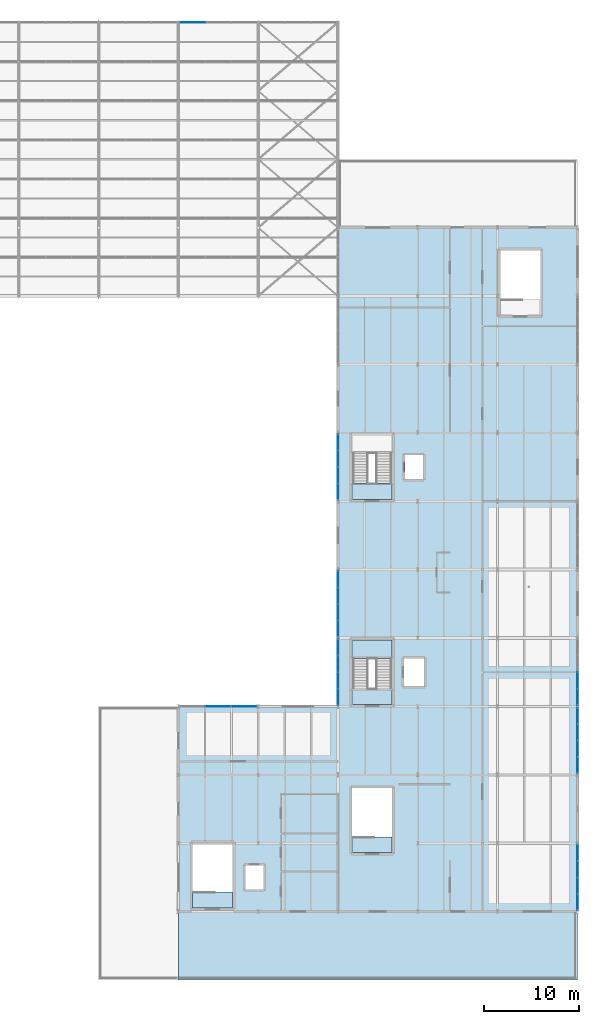
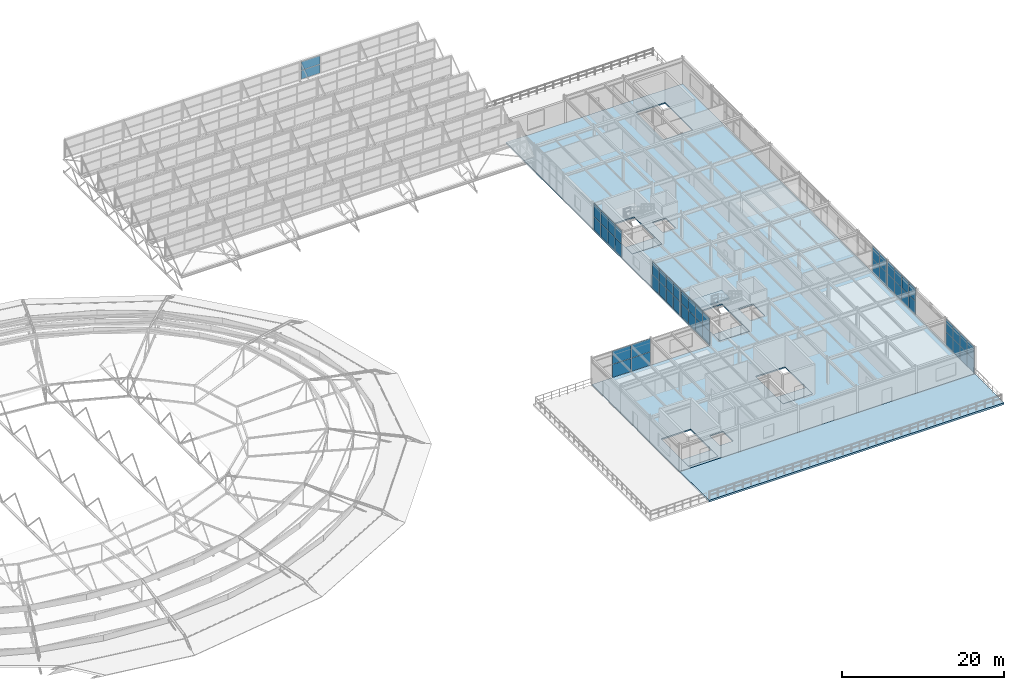
# One storey, part 109 of 134: 50 plates, 7 slabs, 9 elements without a shape of their own.
"""IFC4 building model written with IfcOpenShell, lengths in metres."""

from ifc_helpers import new_model, si_unit, derived_unit, direction, frame, origin, origin_2d, place, context, subcontext, project, spatial, polyline, rectangle, outline, extrude, material, layer, layer_set, type_object, element, aggregate, save


model = new_model("IFC4")

# Units and contexts
model_context = context("Model", 3, precision=1e-05, world=origin(), true_north=direction((0.0, 1.0)))
body_context = subcontext(model_context, "Body", "Model", "MODEL_VIEW")
ifc_project = project(units=[si_unit("LENGTHUNIT", "METRE"), si_unit("AREAUNIT", "SQUARE_METRE"), si_unit("VOLUMEUNIT", "CUBIC_METRE"), si_unit("PLANEANGLEUNIT", "RADIAN"), si_unit("MASSUNIT", "GRAM", prefix="KILO"), derived_unit("THERMALTRANSMITTANCEUNIT", [(si_unit("MASSUNIT", "GRAM", prefix="KILO"), 1), (si_unit("TIMEUNIT", "SECOND"), -3), (si_unit("THERMODYNAMICTEMPERATUREUNIT", "KELVIN"), -1)])], contexts=[model_context])

# Site, building, storey
site_placement = place(None, origin())
site = spatial("IfcSite", under=ifc_project, at=site_placement, CompositionType="ELEMENT")
building_placement = place(site_placement, origin())
building = spatial("IfcBuilding", under=site, at=building_placement, Name="Kharveza Railside Sports Centre", CompositionType="ELEMENT")
storey_placement = place(building_placement, frame((0.0, 0.0, 12.89990234375)))
storey = spatial("IfcBuildingStorey", under=building, at=storey_placement, Name="L03", CompositionType="ELEMENT", Elevation=12.89990234375)

# Curtain wall, plates
ifc_material_1 = material(Name="Low-E solar-control laminated glass", Category="glass")
curtain_wall_type_1 = type_object("IfcCurtainWallType", Name="CW-NL02", PredefinedType="NOTDEFINED", material=ifc_material_1)
curtain_wall_1_placement = place(storey_placement, origin())
curtain_wall_1 = element("IfcCurtainWall", 1, at=curtain_wall_1_placement, inside=storey, type_object=curtain_wall_type_1, Name="CW-V2NL-7-5", PredefinedType="NOTDEFINED")
ifc_layer_1 = layer(ifc_material_1, 0.033935546875, Name="Low-E solar-control laminated glass")
ifc_layer_set_1 = layer_set([ifc_layer_1], Name="Low-E solar-control laminated glass")
plate_type_1 = type_object("IfcPlateType", Name="PL-CP06", PredefinedType="CURTAIN_PANEL", material=ifc_layer_set_1)
plate_1_placement = place(storey_placement, frame((127.47998046875, 108.0, 2.219970703125), z_axis=(0.0, 0.0, 1.0), x_axis=(1.0, 0.0, 0.0)))
plate_1 = element("IfcPlate", 2, at=plate_1_placement, type_object=plate_type_1, Name="CW-V2NL-7-5-PN11", PredefinedType="CURTAIN_PANEL", context=body_context, shape_type="SweptSolid", body=[
    extrude(rectangle(XDim=2.679931640625, YDim=0.033935546875, at=origin_2d()), origin(), (0.0, 0.0, 1.0), 1.31005859375),
])
plate_2_placement = place(storey_placement, frame((127.47998046875, 108.0, 3.570068359375), z_axis=(0.0, 0.0, 1.0), x_axis=(1.0, 0.0, 0.0)))
plate_2 = element("IfcPlate", 3, at=plate_2_placement, type_object=plate_type_1, Name="CW-V2NL-7-5-PN12", PredefinedType="CURTAIN_PANEL", context=body_context, shape_type="SweptSolid", body=[
    extrude(rectangle(XDim=2.679931640625, YDim=0.033935546875, at=origin_2d()), origin(), (0.0, 0.0, 1.0), 1.31005859375),
])
aggregate(curtain_wall_1, [plate_1, plate_2])

curtain_wall_type_2 = type_object("IfcCurtainWallType", Name="CW-WG01", PredefinedType="NOTDEFINED", material=ifc_material_1)
curtain_wall_2_placement = place(storey_placement, origin())
curtain_wall_2 = element("IfcCurtainWall", 4, at=curtain_wall_2_placement, inside=storey, type_object=curtain_wall_type_2, Name="CW-WG-L03-CW-WG01-X1302-Y360", PredefinedType="NOTDEFINED")
ifc_layer_2 = layer(ifc_material_1, 0.035888671875, Name="Low-E solar-control laminated glass")
ifc_layer_set_2 = layer_set([ifc_layer_2], Name="Low-E solar-control laminated glass")
plate_type_2 = type_object("IfcPlateType", Name="PL-CP08", PredefinedType="CURTAIN_PANEL", material=ifc_layer_set_2)
plate_3_placement = place(storey_placement, frame((132.919921875, 36.0, 2.03759765625), z_axis=(0.0, 0.0, 1.0), x_axis=(-1.0, 0.0, 0.0)))
plate_3 = element("IfcPlate", 5, at=plate_3_placement, type_object=plate_type_2, Name="CW-WG-L03-CW-WG01-X1302-Y360-PN12", PredefinedType="CURTAIN_PANEL", context=body_context, shape_type="SweptSolid", body=[
    extrude(rectangle(XDim=2.679931640625, YDim=0.035888671875, at=origin_2d()), origin(), (0.0, 0.0, 1.0), 1.9775390625),
])
plate_4_placement = place(storey_placement, frame((130.199951171875, 36.0, 2.03759765625), z_axis=(0.0, 0.0, 1.0), x_axis=(-1.0, 0.0, 0.0)))
plate_4 = element("IfcPlate", 6, at=plate_4_placement, type_object=plate_type_2, Name="CW-WG-L03-CW-WG01-X1302-Y360-PN22", PredefinedType="CURTAIN_PANEL", context=body_context, shape_type="SweptSolid", body=[
    extrude(rectangle(XDim=2.679931640625, YDim=0.035888671875, at=origin_2d()), origin(), (0.0, 0.0, 1.0), 1.9775390625),
])
ifc_material_2 = material(Name="Anodised aluminium 6063-T6", Category="aluminium")
ifc_layer_3 = layer(ifc_material_2, 0.044921875, Name="Anodised aluminium 6063-T6")
ifc_layer_set_3 = layer_set([ifc_layer_3], Name="Anodised aluminium 6063-T6")
plate_type_3 = type_object("IfcPlateType", Name="PL-CP09", PredefinedType="CURTAIN_PANEL", material=ifc_layer_set_3)
plate_5_placement = place(storey_placement, frame((132.919921875, 36.0, 0.02001953125), z_axis=(0.0, 0.0, 1.0), x_axis=(-1.0, 0.0, 0.0)))
plate_5 = element("IfcPlate", 7, at=plate_5_placement, type_object=plate_type_3, Name="CW-WG-L03-CW-WG01-X1302-Y360-PN11", PredefinedType="CURTAIN_PANEL", context=body_context, shape_type="SweptSolid", body=[
    extrude(rectangle(XDim=2.679931640625, YDim=0.044921875, at=origin_2d()), origin(), (0.0, 0.0, 1.0), 1.9775390625),
])
plate_6_placement = place(storey_placement, frame((130.199951171875, 36.0, 0.02001953125), z_axis=(0.0, 0.0, 1.0), x_axis=(-1.0, 0.0, 0.0)))
plate_6 = element("IfcPlate", 8, at=plate_6_placement, type_object=plate_type_3, Name="CW-WG-L03-CW-WG01-X1302-Y360-PN21", PredefinedType="CURTAIN_PANEL", context=body_context, shape_type="SweptSolid", body=[
    extrude(rectangle(XDim=2.679931640625, YDim=0.044921875, at=origin_2d()), origin(), (0.0, 0.0, 1.0), 1.9775390625),
])
aggregate(curtain_wall_2, [plate_5, plate_3, plate_6, plate_4])

curtain_wall_type_3 = type_object("IfcCurtainWallType", Name="CW-WG02", PredefinedType="NOTDEFINED", material=ifc_material_1)
curtain_wall_3_placement = place(storey_placement, origin())
curtain_wall_3 = element("IfcCurtainWall", 9, at=curtain_wall_3_placement, inside=storey, type_object=curtain_wall_type_3, Name="CW-WG-L03-CW-WG02-X1680-Y180", PredefinedType="NOTDEFINED")
ifc_layer_4 = layer(ifc_material_1, 0.035888671875, Name="Low-E solar-control laminated glass")
ifc_layer_set_4 = layer_set([ifc_layer_4], Name="Low-E solar-control laminated glass")
plate_type_4 = type_object("IfcPlateType", Name="PL-CP10", PredefinedType="CURTAIN_PANEL", material=ifc_layer_set_4)
plate_7_placement = place(storey_placement, frame((168.0, 15.389892578125, 2.03759765625), z_axis=(0.0, 0.0, 1.0), x_axis=(0.0, 1.0, 0.0)))
plate_7 = element("IfcPlate", 10, at=plate_7_placement, type_object=plate_type_4, Name="CW-WG-L03-CW-WG02-X1680-Y180-PN12", PredefinedType="CURTAIN_PANEL", context=body_context, shape_type="SweptSolid", body=[
    extrude(rectangle(XDim=1.699951171875, YDim=0.035888671875, at=origin_2d()), origin(), (0.0, 0.0, 1.0), 1.9775390625),
])
plate_8_placement = place(storey_placement, frame((168.0, 17.1298828125, 2.03759765625), z_axis=(0.0, 0.0, 1.0), x_axis=(0.0, 1.0, 0.0)))
plate_8 = element("IfcPlate", 11, at=plate_8_placement, type_object=plate_type_4, Name="CW-WG-L03-CW-WG02-X1680-Y180-PN22", PredefinedType="CURTAIN_PANEL", context=body_context, shape_type="SweptSolid", body=[
    extrude(rectangle(XDim=1.699951171875, YDim=0.035888671875, at=origin_2d()), origin(), (0.0, 0.0, 1.0), 1.9775390625),
])
plate_9_placement = place(storey_placement, frame((168.0, 18.8701171875, 2.03759765625), z_axis=(0.0, 0.0, 1.0), x_axis=(0.0, 1.0, 0.0)))
plate_9 = element("IfcPlate", 12, at=plate_9_placement, type_object=plate_type_4, Name="CW-WG-L03-CW-WG02-X1680-Y180-PN32", PredefinedType="CURTAIN_PANEL", context=body_context, shape_type="SweptSolid", body=[
    extrude(rectangle(XDim=1.699951171875, YDim=0.035888671875, at=origin_2d()), origin(), (0.0, 0.0, 1.0), 1.9775390625),
])
plate_10_placement = place(storey_placement, frame((168.0, 20.610107421875, 2.03759765625), z_axis=(0.0, 0.0, 1.0), x_axis=(0.0, 1.0, 0.0)))
plate_10 = element("IfcPlate", 13, at=plate_10_placement, type_object=plate_type_4, Name="CW-WG-L03-CW-WG02-X1680-Y180-PN42", PredefinedType="CURTAIN_PANEL", context=body_context, shape_type="SweptSolid", body=[
    extrude(rectangle(XDim=1.699951171875, YDim=0.035888671875, at=origin_2d()), origin(), (0.0, 0.0, 1.0), 1.9775390625),
])

curtain_wall_4_placement = place(storey_placement, origin())
curtain_wall_4 = element("IfcCurtainWall", 14, at=curtain_wall_4_placement, inside=storey, type_object=curtain_wall_type_3, Name="CW-WG-L03-CW-WG02-X1680-Y324", PredefinedType="NOTDEFINED")
plate_11_placement = place(storey_placement, frame((168.0, 29.7900390625, 2.03759765625), z_axis=(0.0, 0.0, 1.0), x_axis=(0.0, 1.0, 0.0)))
plate_11 = element("IfcPlate", 15, at=plate_11_placement, type_object=plate_type_4, Name="CW-WG-L03-CW-WG02-X1680-Y324-PN12", PredefinedType="CURTAIN_PANEL", context=body_context, shape_type="SweptSolid", body=[
    extrude(rectangle(XDim=1.699951171875, YDim=0.035888671875, at=origin_2d()), origin(), (0.0, 0.0, 1.0), 1.9775390625),
])
plate_12_placement = place(storey_placement, frame((168.0, 31.530029296875, 2.03759765625), z_axis=(0.0, 0.0, 1.0), x_axis=(0.0, 1.0, 0.0)))
plate_12 = element("IfcPlate", 16, at=plate_12_placement, type_object=plate_type_4, Name="CW-WG-L03-CW-WG02-X1680-Y324-PN22", PredefinedType="CURTAIN_PANEL", context=body_context, shape_type="SweptSolid", body=[
    extrude(rectangle(XDim=1.699951171875, YDim=0.035888671875, at=origin_2d()), origin(), (0.0, 0.0, 1.0), 1.9775390625),
])
plate_13_placement = place(storey_placement, frame((168.0, 33.27001953125, 2.03759765625), z_axis=(0.0, 0.0, 1.0), x_axis=(0.0, 1.0, 0.0)))
plate_13 = element("IfcPlate", 17, at=plate_13_placement, type_object=plate_type_4, Name="CW-WG-L03-CW-WG02-X1680-Y324-PN32", PredefinedType="CURTAIN_PANEL", context=body_context, shape_type="SweptSolid", body=[
    extrude(rectangle(XDim=1.699951171875, YDim=0.035888671875, at=origin_2d()), origin(), (0.0, 0.0, 1.0), 1.9775390625),
])
plate_14_placement = place(storey_placement, frame((168.0, 35.010009765625, 2.03759765625), z_axis=(0.0, 0.0, 1.0), x_axis=(0.0, 1.0, 0.0)))
plate_14 = element("IfcPlate", 18, at=plate_14_placement, type_object=plate_type_4, Name="CW-WG-L03-CW-WG02-X1680-Y324-PN42", PredefinedType="CURTAIN_PANEL", context=body_context, shape_type="SweptSolid", body=[
    extrude(rectangle(XDim=1.699951171875, YDim=0.035888671875, at=origin_2d()), origin(), (0.0, 0.0, 1.0), 1.9775390625),
])

curtain_wall_5_placement = place(storey_placement, origin())
curtain_wall_5 = element("IfcCurtainWall", 19, at=curtain_wall_5_placement, inside=storey, type_object=curtain_wall_type_3, Name="CW-WG-L03-CW-WG02-X1680-Y396", PredefinedType="NOTDEFINED")
plate_15_placement = place(storey_placement, frame((168.0, 36.989990234375, 2.03759765625), z_axis=(0.0, 0.0, 1.0), x_axis=(0.0, 1.0, 0.0)))
plate_15 = element("IfcPlate", 20, at=plate_15_placement, type_object=plate_type_4, Name="CW-WG-L03-CW-WG02-X1680-Y396-PN12", PredefinedType="CURTAIN_PANEL", context=body_context, shape_type="SweptSolid", body=[
    extrude(rectangle(XDim=1.699951171875, YDim=0.035888671875, at=origin_2d()), origin(), (0.0, 0.0, 1.0), 1.9775390625),
])
plate_16_placement = place(storey_placement, frame((168.0, 38.72998046875, 2.03759765625), z_axis=(0.0, 0.0, 1.0), x_axis=(0.0, 1.0, 0.0)))
plate_16 = element("IfcPlate", 21, at=plate_16_placement, type_object=plate_type_4, Name="CW-WG-L03-CW-WG02-X1680-Y396-PN22", PredefinedType="CURTAIN_PANEL", context=body_context, shape_type="SweptSolid", body=[
    extrude(rectangle(XDim=1.699951171875, YDim=0.035888671875, at=origin_2d()), origin(), (0.0, 0.0, 1.0), 1.9775390625),
])

curtain_wall_6_placement = place(storey_placement, origin())
curtain_wall_6 = element("IfcCurtainWall", 22, at=curtain_wall_6_placement, inside=storey, type_object=curtain_wall_type_3, Name="CW-WG-L03-CW-WG02-X1428-Y612", PredefinedType="NOTDEFINED")
plate_17_placement = place(storey_placement, frame((142.800048828125, 63.81005859375, 2.03759765625), z_axis=(0.0, 0.0, 1.0), x_axis=(0.0, -1.0, 0.0)))
plate_17 = element("IfcPlate", 23, at=plate_17_placement, type_object=plate_type_4, Name="CW-WG-L03-CW-WG02-X1428-Y612-PN12", PredefinedType="CURTAIN_PANEL", context=body_context, shape_type="SweptSolid", body=[
    extrude(rectangle(XDim=1.699951171875, YDim=0.035888671875, at=origin_2d()), origin(), (0.0, 0.0, 1.0), 1.9775390625),
])
plate_18_placement = place(storey_placement, frame((142.800048828125, 62.070068359375, 2.03759765625), z_axis=(0.0, 0.0, 1.0), x_axis=(0.0, -1.0, 0.0)))
plate_18 = element("IfcPlate", 24, at=plate_18_placement, type_object=plate_type_4, Name="CW-WG-L03-CW-WG02-X1428-Y612-PN22", PredefinedType="CURTAIN_PANEL", context=body_context, shape_type="SweptSolid", body=[
    extrude(rectangle(XDim=1.699951171875, YDim=0.035888671875, at=origin_2d()), origin(), (0.0, 0.0, 1.0), 1.9775390625),
])
plate_19_placement = place(storey_placement, frame((142.800048828125, 60.330078125, 2.03759765625), z_axis=(0.0, 0.0, 1.0), x_axis=(0.0, -1.0, 0.0)))
plate_19 = element("IfcPlate", 25, at=plate_19_placement, type_object=plate_type_4, Name="CW-WG-L03-CW-WG02-X1428-Y612-PN32", PredefinedType="CURTAIN_PANEL", context=body_context, shape_type="SweptSolid", body=[
    extrude(rectangle(XDim=1.699951171875, YDim=0.035888671875, at=origin_2d()), origin(), (0.0, 0.0, 1.0), 1.9775390625),
])
plate_20_placement = place(storey_placement, frame((142.800048828125, 58.590087890625, 2.03759765625), z_axis=(0.0, 0.0, 1.0), x_axis=(0.0, -1.0, 0.0)))
plate_20 = element("IfcPlate", 26, at=plate_20_placement, type_object=plate_type_4, Name="CW-WG-L03-CW-WG02-X1428-Y612-PN42", PredefinedType="CURTAIN_PANEL", context=body_context, shape_type="SweptSolid", body=[
    extrude(rectangle(XDim=1.699951171875, YDim=0.035888671875, at=origin_2d()), origin(), (0.0, 0.0, 1.0), 1.9775390625),
])

curtain_wall_7_placement = place(storey_placement, origin())
curtain_wall_7 = element("IfcCurtainWall", 27, at=curtain_wall_7_placement, inside=storey, type_object=curtain_wall_type_3, Name="CW-WG-L03-CW-WG02-X1428-Y468", PredefinedType="NOTDEFINED")
plate_21_placement = place(storey_placement, frame((142.800048828125, 49.409912109375, 2.03759765625), z_axis=(0.0, 0.0, 1.0), x_axis=(0.0, -1.0, 0.0)))
plate_21 = element("IfcPlate", 28, at=plate_21_placement, type_object=plate_type_4, Name="CW-WG-L03-CW-WG02-X1428-Y468-PN12", PredefinedType="CURTAIN_PANEL", context=body_context, shape_type="SweptSolid", body=[
    extrude(rectangle(XDim=1.699951171875, YDim=0.035888671875, at=origin_2d()), origin(), (0.0, 0.0, 1.0), 1.9775390625),
])
plate_22_placement = place(storey_placement, frame((142.800048828125, 47.669921875, 2.03759765625), z_axis=(0.0, 0.0, 1.0), x_axis=(0.0, -1.0, 0.0)))
plate_22 = element("IfcPlate", 29, at=plate_22_placement, type_object=plate_type_4, Name="CW-WG-L03-CW-WG02-X1428-Y468-PN22", PredefinedType="CURTAIN_PANEL", context=body_context, shape_type="SweptSolid", body=[
    extrude(rectangle(XDim=1.699951171875, YDim=0.035888671875, at=origin_2d()), origin(), (0.0, 0.0, 1.0), 1.9775390625),
])
plate_23_placement = place(storey_placement, frame((142.800048828125, 45.929931640625, 2.03759765625), z_axis=(0.0, 0.0, 1.0), x_axis=(0.0, -1.0, 0.0)))
plate_23 = element("IfcPlate", 30, at=plate_23_placement, type_object=plate_type_4, Name="CW-WG-L03-CW-WG02-X1428-Y468-PN32", PredefinedType="CURTAIN_PANEL", context=body_context, shape_type="SweptSolid", body=[
    extrude(rectangle(XDim=1.699951171875, YDim=0.035888671875, at=origin_2d()), origin(), (0.0, 0.0, 1.0), 1.9775390625),
])
plate_24_placement = place(storey_placement, frame((142.800048828125, 44.18994140625, 2.03759765625), z_axis=(0.0, 0.0, 1.0), x_axis=(0.0, -1.0, 0.0)))
plate_24 = element("IfcPlate", 31, at=plate_24_placement, type_object=plate_type_4, Name="CW-WG-L03-CW-WG02-X1428-Y468-PN42", PredefinedType="CURTAIN_PANEL", context=body_context, shape_type="SweptSolid", body=[
    extrude(rectangle(XDim=1.699951171875, YDim=0.035888671875, at=origin_2d()), origin(), (0.0, 0.0, 1.0), 1.9775390625),
])

curtain_wall_8_placement = place(storey_placement, origin())
curtain_wall_8 = element("IfcCurtainWall", 32, at=curtain_wall_8_placement, inside=storey, type_object=curtain_wall_type_3, Name="CW-WG-L03-CW-WG02-X1428-Y396", PredefinedType="NOTDEFINED")
plate_25_placement = place(storey_placement, frame((142.800048828125, 42.2099609375, 2.03759765625), z_axis=(0.0, 0.0, 1.0), x_axis=(0.0, -1.0, 0.0)))
plate_25 = element("IfcPlate", 33, at=plate_25_placement, type_object=plate_type_4, Name="CW-WG-L03-CW-WG02-X1428-Y396-PN12", PredefinedType="CURTAIN_PANEL", context=body_context, shape_type="SweptSolid", body=[
    extrude(rectangle(XDim=1.699951171875, YDim=0.035888671875, at=origin_2d()), origin(), (0.0, 0.0, 1.0), 1.9775390625),
])
plate_26_placement = place(storey_placement, frame((142.800048828125, 40.469970703125, 2.03759765625), z_axis=(0.0, 0.0, 1.0), x_axis=(0.0, -1.0, 0.0)))
plate_26 = element("IfcPlate", 34, at=plate_26_placement, type_object=plate_type_4, Name="CW-WG-L03-CW-WG02-X1428-Y396-PN22", PredefinedType="CURTAIN_PANEL", context=body_context, shape_type="SweptSolid", body=[
    extrude(rectangle(XDim=1.699951171875, YDim=0.035888671875, at=origin_2d()), origin(), (0.0, 0.0, 1.0), 1.9775390625),
])
plate_27_placement = place(storey_placement, frame((142.800048828125, 38.72998046875, 2.03759765625), z_axis=(0.0, 0.0, 1.0), x_axis=(0.0, -1.0, 0.0)))
plate_27 = element("IfcPlate", 35, at=plate_27_placement, type_object=plate_type_4, Name="CW-WG-L03-CW-WG02-X1428-Y396-PN32", PredefinedType="CURTAIN_PANEL", context=body_context, shape_type="SweptSolid", body=[
    extrude(rectangle(XDim=1.699951171875, YDim=0.035888671875, at=origin_2d()), origin(), (0.0, 0.0, 1.0), 1.9775390625),
])
plate_28_placement = place(storey_placement, frame((142.800048828125, 36.989990234375, 2.03759765625), z_axis=(0.0, 0.0, 1.0), x_axis=(0.0, -1.0, 0.0)))
plate_28 = element("IfcPlate", 36, at=plate_28_placement, type_object=plate_type_4, Name="CW-WG-L03-CW-WG02-X1428-Y396-PN42", PredefinedType="CURTAIN_PANEL", context=body_context, shape_type="SweptSolid", body=[
    extrude(rectangle(XDim=1.699951171875, YDim=0.035888671875, at=origin_2d()), origin(), (0.0, 0.0, 1.0), 1.9775390625),
])

# Plate
ifc_layer_5 = layer(ifc_material_2, 0.044921875, Name="Anodised aluminium 6063-T6")
ifc_layer_set_5 = layer_set([ifc_layer_5], Name="Anodised aluminium 6063-T6")
plate_type_5 = type_object("IfcPlateType", Name="PL-CP11", PredefinedType="CURTAIN_PANEL", material=ifc_layer_set_5)
plate_29_placement = place(storey_placement, frame((168.0, 15.389892578125, 0.02001953125), z_axis=(0.0, 0.0, 1.0), x_axis=(0.0, 1.0, 0.0)))
plate_29 = element("IfcPlate", 37, at=plate_29_placement, type_object=plate_type_5, Name="CW-WG-L03-CW-WG02-X1680-Y180-PN11", PredefinedType="CURTAIN_PANEL", context=body_context, shape_type="SweptSolid", body=[
    extrude(rectangle(XDim=1.699951171875, YDim=0.044921875, at=origin_2d()), origin(), (0.0, 0.0, 1.0), 1.9775390625),
])

plate_30_placement = place(storey_placement, frame((168.0, 17.1298828125, 0.02001953125), z_axis=(0.0, 0.0, 1.0), x_axis=(0.0, 1.0, 0.0)))
plate_30 = element("IfcPlate", 38, at=plate_30_placement, type_object=plate_type_5, Name="CW-WG-L03-CW-WG02-X1680-Y180-PN21", PredefinedType="CURTAIN_PANEL", context=body_context, shape_type="SweptSolid", body=[
    extrude(rectangle(XDim=1.699951171875, YDim=0.044921875, at=origin_2d()), origin(), (0.0, 0.0, 1.0), 1.9775390625),
])

plate_31_placement = place(storey_placement, frame((168.0, 18.8701171875, 0.02001953125), z_axis=(0.0, 0.0, 1.0), x_axis=(0.0, 1.0, 0.0)))
plate_31 = element("IfcPlate", 39, at=plate_31_placement, type_object=plate_type_5, Name="CW-WG-L03-CW-WG02-X1680-Y180-PN31", PredefinedType="CURTAIN_PANEL", context=body_context, shape_type="SweptSolid", body=[
    extrude(rectangle(XDim=1.699951171875, YDim=0.044921875, at=origin_2d()), origin(), (0.0, 0.0, 1.0), 1.9775390625),
])

plate_32_placement = place(storey_placement, frame((168.0, 20.610107421875, 0.02001953125), z_axis=(0.0, 0.0, 1.0), x_axis=(0.0, 1.0, 0.0)))
plate_32 = element("IfcPlate", 40, at=plate_32_placement, type_object=plate_type_5, Name="CW-WG-L03-CW-WG02-X1680-Y180-PN41", PredefinedType="CURTAIN_PANEL", context=body_context, shape_type="SweptSolid", body=[
    extrude(rectangle(XDim=1.699951171875, YDim=0.044921875, at=origin_2d()), origin(), (0.0, 0.0, 1.0), 1.9775390625),
])

aggregate(curtain_wall_3, [plate_29, plate_7, plate_30, plate_8, plate_31, plate_9, plate_32, plate_10])

plate_33_placement = place(storey_placement, frame((168.0, 29.7900390625, 0.02001953125), z_axis=(0.0, 0.0, 1.0), x_axis=(0.0, 1.0, 0.0)))
plate_33 = element("IfcPlate", 41, at=plate_33_placement, type_object=plate_type_5, Name="CW-WG-L03-CW-WG02-X1680-Y324-PN11", PredefinedType="CURTAIN_PANEL", context=body_context, shape_type="SweptSolid", body=[
    extrude(rectangle(XDim=1.699951171875, YDim=0.044921875, at=origin_2d()), origin(), (0.0, 0.0, 1.0), 1.9775390625),
])

plate_34_placement = place(storey_placement, frame((168.0, 31.530029296875, 0.02001953125), z_axis=(0.0, 0.0, 1.0), x_axis=(0.0, 1.0, 0.0)))
plate_34 = element("IfcPlate", 42, at=plate_34_placement, type_object=plate_type_5, Name="CW-WG-L03-CW-WG02-X1680-Y324-PN21", PredefinedType="CURTAIN_PANEL", context=body_context, shape_type="SweptSolid", body=[
    extrude(rectangle(XDim=1.699951171875, YDim=0.044921875, at=origin_2d()), origin(), (0.0, 0.0, 1.0), 1.9775390625),
])

plate_35_placement = place(storey_placement, frame((168.0, 33.27001953125, 0.02001953125), z_axis=(0.0, 0.0, 1.0), x_axis=(0.0, 1.0, 0.0)))
plate_35 = element("IfcPlate", 43, at=plate_35_placement, type_object=plate_type_5, Name="CW-WG-L03-CW-WG02-X1680-Y324-PN31", PredefinedType="CURTAIN_PANEL", context=body_context, shape_type="SweptSolid", body=[
    extrude(rectangle(XDim=1.699951171875, YDim=0.044921875, at=origin_2d()), origin(), (0.0, 0.0, 1.0), 1.9775390625),
])

plate_36_placement = place(storey_placement, frame((168.0, 35.010009765625, 0.02001953125), z_axis=(0.0, 0.0, 1.0), x_axis=(0.0, 1.0, 0.0)))
plate_36 = element("IfcPlate", 44, at=plate_36_placement, type_object=plate_type_5, Name="CW-WG-L03-CW-WG02-X1680-Y324-PN41", PredefinedType="CURTAIN_PANEL", context=body_context, shape_type="SweptSolid", body=[
    extrude(rectangle(XDim=1.699951171875, YDim=0.044921875, at=origin_2d()), origin(), (0.0, 0.0, 1.0), 1.9775390625),
])

aggregate(curtain_wall_4, [plate_33, plate_11, plate_34, plate_12, plate_35, plate_13, plate_36, plate_14])

plate_37_placement = place(storey_placement, frame((168.0, 36.989990234375, 0.02001953125), z_axis=(0.0, 0.0, 1.0), x_axis=(0.0, 1.0, 0.0)))
plate_37 = element("IfcPlate", 45, at=plate_37_placement, type_object=plate_type_5, Name="CW-WG-L03-CW-WG02-X1680-Y396-PN11", PredefinedType="CURTAIN_PANEL", context=body_context, shape_type="SweptSolid", body=[
    extrude(rectangle(XDim=1.699951171875, YDim=0.044921875, at=origin_2d()), origin(), (0.0, 0.0, 1.0), 1.9775390625),
])

plate_38_placement = place(storey_placement, frame((168.0, 38.72998046875, 0.02001953125), z_axis=(0.0, 0.0, 1.0), x_axis=(0.0, 1.0, 0.0)))
plate_38 = element("IfcPlate", 46, at=plate_38_placement, type_object=plate_type_5, Name="CW-WG-L03-CW-WG02-X1680-Y396-PN21", PredefinedType="CURTAIN_PANEL", context=body_context, shape_type="SweptSolid", body=[
    extrude(rectangle(XDim=1.699951171875, YDim=0.044921875, at=origin_2d()), origin(), (0.0, 0.0, 1.0), 1.9775390625),
])

aggregate(curtain_wall_5, [plate_37, plate_15, plate_38, plate_16])

plate_39_placement = place(storey_placement, frame((142.800048828125, 63.81005859375, 0.02001953125), z_axis=(0.0, 0.0, 1.0), x_axis=(0.0, -1.0, 0.0)))
plate_39 = element("IfcPlate", 47, at=plate_39_placement, type_object=plate_type_5, Name="CW-WG-L03-CW-WG02-X1428-Y612-PN11", PredefinedType="CURTAIN_PANEL", context=body_context, shape_type="SweptSolid", body=[
    extrude(rectangle(XDim=1.699951171875, YDim=0.044921875, at=origin_2d()), origin(), (0.0, 0.0, 1.0), 1.9775390625),
])

plate_40_placement = place(storey_placement, frame((142.800048828125, 62.070068359375, 0.02001953125), z_axis=(0.0, 0.0, 1.0), x_axis=(0.0, -1.0, 0.0)))
plate_40 = element("IfcPlate", 48, at=plate_40_placement, type_object=plate_type_5, Name="CW-WG-L03-CW-WG02-X1428-Y612-PN21", PredefinedType="CURTAIN_PANEL", context=body_context, shape_type="SweptSolid", body=[
    extrude(rectangle(XDim=1.699951171875, YDim=0.044921875, at=origin_2d()), origin(), (0.0, 0.0, 1.0), 1.9775390625),
])

plate_41_placement = place(storey_placement, frame((142.800048828125, 60.330078125, 0.02001953125), z_axis=(0.0, 0.0, 1.0), x_axis=(0.0, -1.0, 0.0)))
plate_41 = element("IfcPlate", 49, at=plate_41_placement, type_object=plate_type_5, Name="CW-WG-L03-CW-WG02-X1428-Y612-PN31", PredefinedType="CURTAIN_PANEL", context=body_context, shape_type="SweptSolid", body=[
    extrude(rectangle(XDim=1.699951171875, YDim=0.044921875, at=origin_2d()), origin(), (0.0, 0.0, 1.0), 1.9775390625),
])

plate_42_placement = place(storey_placement, frame((142.800048828125, 58.590087890625, 0.02001953125), z_axis=(0.0, 0.0, 1.0), x_axis=(0.0, -1.0, 0.0)))
plate_42 = element("IfcPlate", 50, at=plate_42_placement, type_object=plate_type_5, Name="CW-WG-L03-CW-WG02-X1428-Y612-PN41", PredefinedType="CURTAIN_PANEL", context=body_context, shape_type="SweptSolid", body=[
    extrude(rectangle(XDim=1.699951171875, YDim=0.044921875, at=origin_2d()), origin(), (0.0, 0.0, 1.0), 1.9775390625),
])

aggregate(curtain_wall_6, [plate_39, plate_17, plate_40, plate_18, plate_41, plate_19, plate_42, plate_20])

plate_43_placement = place(storey_placement, frame((142.800048828125, 49.409912109375, 0.02001953125), z_axis=(0.0, 0.0, 1.0), x_axis=(0.0, -1.0, 0.0)))
plate_43 = element("IfcPlate", 51, at=plate_43_placement, type_object=plate_type_5, Name="CW-WG-L03-CW-WG02-X1428-Y468-PN11", PredefinedType="CURTAIN_PANEL", context=body_context, shape_type="SweptSolid", body=[
    extrude(rectangle(XDim=1.699951171875, YDim=0.044921875, at=origin_2d()), origin(), (0.0, 0.0, 1.0), 1.9775390625),
])

plate_44_placement = place(storey_placement, frame((142.800048828125, 47.669921875, 0.02001953125), z_axis=(0.0, 0.0, 1.0), x_axis=(0.0, -1.0, 0.0)))
plate_44 = element("IfcPlate", 52, at=plate_44_placement, type_object=plate_type_5, Name="CW-WG-L03-CW-WG02-X1428-Y468-PN21", PredefinedType="CURTAIN_PANEL", context=body_context, shape_type="SweptSolid", body=[
    extrude(rectangle(XDim=1.699951171875, YDim=0.044921875, at=origin_2d()), origin(), (0.0, 0.0, 1.0), 1.9775390625),
])

plate_45_placement = place(storey_placement, frame((142.800048828125, 45.929931640625, 0.02001953125), z_axis=(0.0, 0.0, 1.0), x_axis=(0.0, -1.0, 0.0)))
plate_45 = element("IfcPlate", 53, at=plate_45_placement, type_object=plate_type_5, Name="CW-WG-L03-CW-WG02-X1428-Y468-PN31", PredefinedType="CURTAIN_PANEL", context=body_context, shape_type="SweptSolid", body=[
    extrude(rectangle(XDim=1.699951171875, YDim=0.044921875, at=origin_2d()), origin(), (0.0, 0.0, 1.0), 1.9775390625),
])

plate_46_placement = place(storey_placement, frame((142.800048828125, 44.18994140625, 0.02001953125), z_axis=(0.0, 0.0, 1.0), x_axis=(0.0, -1.0, 0.0)))
plate_46 = element("IfcPlate", 54, at=plate_46_placement, type_object=plate_type_5, Name="CW-WG-L03-CW-WG02-X1428-Y468-PN41", PredefinedType="CURTAIN_PANEL", context=body_context, shape_type="SweptSolid", body=[
    extrude(rectangle(XDim=1.699951171875, YDim=0.044921875, at=origin_2d()), origin(), (0.0, 0.0, 1.0), 1.9775390625),
])

aggregate(curtain_wall_7, [plate_43, plate_21, plate_44, plate_22, plate_45, plate_23, plate_46, plate_24])

plate_47_placement = place(storey_placement, frame((142.800048828125, 42.2099609375, 0.02001953125), z_axis=(0.0, 0.0, 1.0), x_axis=(0.0, -1.0, 0.0)))
plate_47 = element("IfcPlate", 55, at=plate_47_placement, type_object=plate_type_5, Name="CW-WG-L03-CW-WG02-X1428-Y396-PN11", PredefinedType="CURTAIN_PANEL", context=body_context, shape_type="SweptSolid", body=[
    extrude(rectangle(XDim=1.699951171875, YDim=0.044921875, at=origin_2d()), origin(), (0.0, 0.0, 1.0), 1.9775390625),
])

plate_48_placement = place(storey_placement, frame((142.800048828125, 40.469970703125, 0.02001953125), z_axis=(0.0, 0.0, 1.0), x_axis=(0.0, -1.0, 0.0)))
plate_48 = element("IfcPlate", 56, at=plate_48_placement, type_object=plate_type_5, Name="CW-WG-L03-CW-WG02-X1428-Y396-PN21", PredefinedType="CURTAIN_PANEL", context=body_context, shape_type="SweptSolid", body=[
    extrude(rectangle(XDim=1.699951171875, YDim=0.044921875, at=origin_2d()), origin(), (0.0, 0.0, 1.0), 1.9775390625),
])

plate_49_placement = place(storey_placement, frame((142.800048828125, 38.72998046875, 0.02001953125), z_axis=(0.0, 0.0, 1.0), x_axis=(0.0, -1.0, 0.0)))
plate_49 = element("IfcPlate", 57, at=plate_49_placement, type_object=plate_type_5, Name="CW-WG-L03-CW-WG02-X1428-Y396-PN31", PredefinedType="CURTAIN_PANEL", context=body_context, shape_type="SweptSolid", body=[
    extrude(rectangle(XDim=1.699951171875, YDim=0.044921875, at=origin_2d()), origin(), (0.0, 0.0, 1.0), 1.9775390625),
])

plate_50_placement = place(storey_placement, frame((142.800048828125, 36.989990234375, 0.02001953125), z_axis=(0.0, 0.0, 1.0), x_axis=(0.0, -1.0, 0.0)))
plate_50 = element("IfcPlate", 58, at=plate_50_placement, type_object=plate_type_5, Name="CW-WG-L03-CW-WG02-X1428-Y396-PN41", PredefinedType="CURTAIN_PANEL", context=body_context, shape_type="SweptSolid", body=[
    extrude(rectangle(XDim=1.699951171875, YDim=0.044921875, at=origin_2d()), origin(), (0.0, 0.0, 1.0), 1.9775390625),
])

aggregate(curtain_wall_8, [plate_47, plate_25, plate_48, plate_26, plate_49, plate_27, plate_50, plate_28])

# Slabs
ifc_material_3 = material(Name="Concrete C35/45", Category="concrete")
ifc_layer_6 = layer(ifc_material_3, 0.199951171875, Name="Concrete C35/45")
ifc_layer_set_6 = layer_set([ifc_layer_6], Name="Concrete C35/45")
slab_type_1 = type_object("IfcSlabType", Name="SL-FL200", PredefinedType="FLOOR", material=ifc_layer_set_6)
slab_1_placement = place(storey_placement, frame((0.0, 0.0, -0.199951171875)))
element("IfcSlab", 59, at=slab_1_placement, inside=storey, type_object=slab_type_1, Name="SLB-L03-IND-01", PredefinedType="FLOOR", context=body_context, shape_type="SweptSolid", body=[
    extrude(outline(polyline([(142.800048828125, 36.0), (142.800048828125, 86.39990234375), (168.0, 86.39990234375), (168.0, 14.39990234375), (142.800048828125, 14.39990234375), (126.0, 14.39990234375), (126.0, 36.0), (142.800048828125, 36.0)]), holes=[polyline([(148.5, 36.199951171875), (148.5, 43.0), (144.300048828125, 43.0), (144.300048828125, 36.199951171875), (148.5, 36.199951171875)]), polyline([(144.300048828125, 57.800048828125), (148.5, 57.800048828125), (148.5, 64.60009765625), (144.300048828125, 64.60009765625), (144.300048828125, 57.800048828125)]), polyline([(127.5, 21.60009765625), (127.5, 14.800048828125), (131.699951171875, 14.800048828125), (131.699951171875, 21.60009765625), (127.5, 21.60009765625)]), polyline([(164.10009765625, 84.0), (159.89990234375, 84.0), (159.89990234375, 77.199951171875), (164.10009765625, 77.199951171875), (164.10009765625, 84.0)]), polyline([(148.5, 20.60009765625), (148.5, 27.39990234375), (144.300048828125, 27.39990234375), (144.300048828125, 20.60009765625), (148.5, 20.60009765625)]), polyline([(149.75, 41.050048828125), (149.75, 38.14990234375), (151.85009765625, 38.14990234375), (151.85009765625, 41.050048828125), (149.75, 41.050048828125)]), polyline([(151.75, 62.449951171875), (149.85009765625, 62.449951171875), (149.85009765625, 59.949951171875), (151.75, 59.949951171875), (151.75, 62.449951171875)]), polyline([(134.949951171875, 16.75), (134.949951171875, 19.25), (133.050048828125, 19.25), (133.050048828125, 16.75), (134.949951171875, 16.75)])]), origin(), (0.0, 0.0, 1.0), 0.199951171875),
])
ifc_layer_7 = layer(ifc_material_3, 0.18505859375, Name="Concrete C35/45")
ifc_layer_set_7 = layer_set([ifc_layer_7], Name="Concrete C35/45")
slab_type_2 = type_object("IfcSlabType", Name="SL-LD185", PredefinedType="LANDING", material=ifc_layer_set_7)
slab_2_placement = place(storey_placement, frame((0.0, 0.0, -0.184814453125)))
element("IfcSlab", 60, at=slab_2_placement, inside=storey, type_object=slab_type_2, Name="SLB-STLND-FLR-ST1-L03", PredefinedType="LANDING", context=body_context, shape_type="SweptSolid", body=[
    extrude(outline(polyline([(144.304931640625, 36.205078125), (148.4951171875, 36.205078125), (148.4951171875, 37.860107421875), (144.304931640625, 37.860107421875), (144.304931640625, 36.205078125)])), origin(), (0.0, 0.0, 1.0), 0.184814453125),
])

# Stair, slab
stair_type = type_object("IfcStairType", Name="ST-B42", PredefinedType="TWO_STRAIGHT_RUN_STAIR", material=ifc_material_3)
stair_placement = place(storey_placement, origin())
stair = element("IfcStair", 61, at=stair_placement, inside=storey, type_object=stair_type, Name="STR-ST1-L03", PredefinedType="TWO_STRAIGHT_RUN_STAIR")
slab_3_placement = place(storey_placement, frame((0.0, 0.0, 1.9150390625)))
slab_3 = element("IfcSlab", 62, at=slab_3_placement, type_object=slab_type_2, Name="STR-ST1-L03-HLND", PredefinedType="LANDING", context=body_context, shape_type="SweptSolid", body=[
    extrude(outline(polyline([(144.304931640625, 41.050048828125), (148.4951171875, 41.050048828125), (148.4951171875, 42.9951171875), (144.304931640625, 42.9951171875), (144.304931640625, 41.050048828125)])), origin(), (0.0, 0.0, 1.0), 0.18505859375),
])
aggregate(stair, [slab_3])

# Slabs
slab_4_placement = place(storey_placement, frame((0.0, 0.0, -0.184814453125)))
element("IfcSlab", 63, at=slab_4_placement, inside=storey, type_object=slab_type_2, Name="SLB-STLND-FLR-ST2-L03", PredefinedType="LANDING", context=body_context, shape_type="SweptSolid", body=[
    extrude(outline(polyline([(144.304931640625, 57.804931640625), (148.4951171875, 57.804931640625), (148.4951171875, 59.4599609375), (144.304931640625, 59.4599609375), (144.304931640625, 57.804931640625)])), origin(), (0.0, 0.0, 1.0), 0.184814453125),
])
slab_5_placement = place(storey_placement, frame((0.0, 0.0, -0.184814453125)))
element("IfcSlab", 64, at=slab_5_placement, inside=storey, type_object=slab_type_2, Name="SLB-STLND-FLR-ST3-L03", PredefinedType="LANDING", context=body_context, shape_type="SweptSolid", body=[
    extrude(outline(polyline([(127.5048828125, 14.804931640625), (131.695068359375, 14.804931640625), (131.695068359375, 16.4599609375), (127.5048828125, 16.4599609375), (127.5048828125, 14.804931640625)])), origin(), (0.0, 0.0, 1.0), 0.184814453125),
])
slab_6_placement = place(storey_placement, frame((0.0, 0.0, -0.184814453125)))
element("IfcSlab", 65, at=slab_6_placement, inside=storey, type_object=slab_type_2, Name="SLB-STLND-FLR-ST5-L03", PredefinedType="LANDING", context=body_context, shape_type="SweptSolid", body=[
    extrude(outline(polyline([(144.304931640625, 20.60498046875), (148.4951171875, 20.60498046875), (148.4951171875, 22.260009765625), (144.304931640625, 22.260009765625), (144.304931640625, 20.60498046875)])), origin(), (0.0, 0.0, 1.0), 0.184814453125),
])
ifc_layer_8 = layer(ifc_material_3, 0.280029296875, Name="Concrete C35/45")
ifc_layer_set_8 = layer_set([ifc_layer_8], Name="Concrete C35/45")
slab_type_3 = type_object("IfcSlabType", Name="SL-TR280", PredefinedType="FLOOR", material=ifc_layer_set_8)
slab_7_placement = place(storey_placement, frame((0.0, 0.0, -0.27978515625)))
element("IfcSlab", 66, at=slab_7_placement, inside=storey, type_object=slab_type_3, Name="Outdoor Terrace TERR-L03-S", PredefinedType="FLOOR", context=body_context, shape_type="SweptSolid", body=[
    extrude(outline(polyline([(126.0009765625, 14.39892578125), (167.9990234375, 14.39892578125), (167.9990234375, 7.200927734375), (126.0009765625, 7.200927734375), (126.0009765625, 14.39892578125)])), origin(), (0.0, 0.0, 1.0), 0.27978515625),
])

save(model, "model.ifc")
